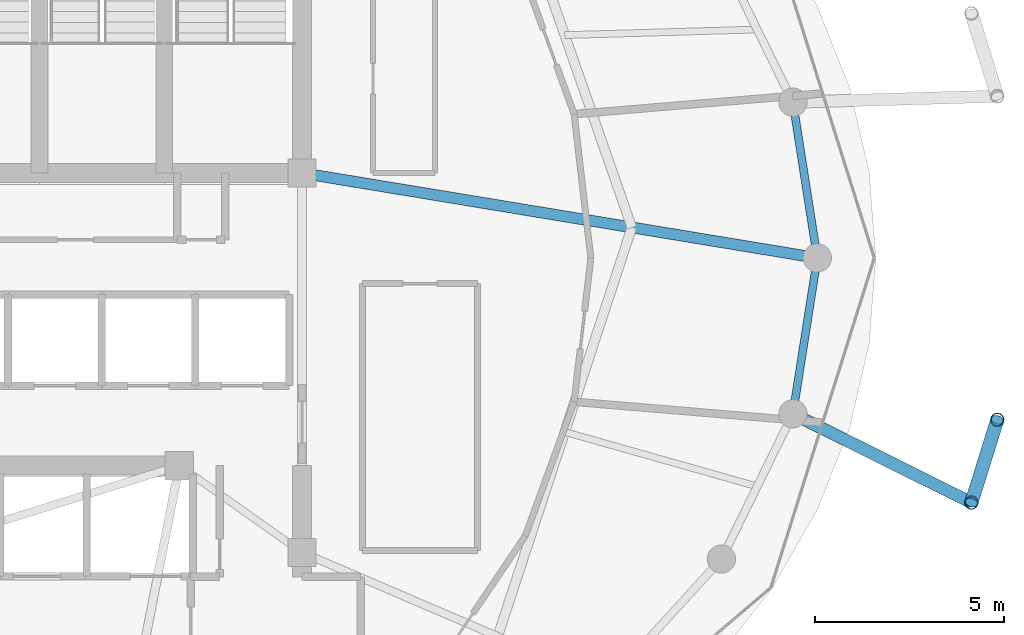
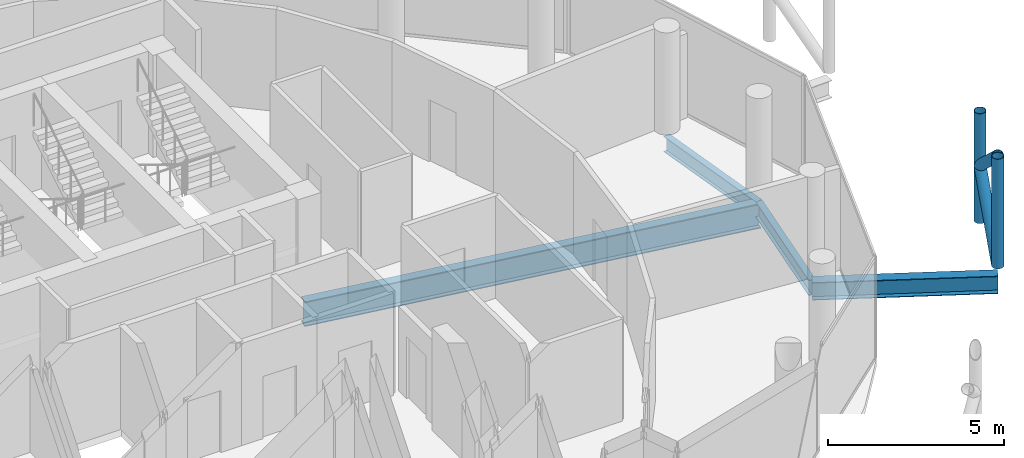
# One storey, part 11 of 24: 4 beams, 4 members.
"""IFC4 building model written with IfcOpenShell, lengths in metres."""

from ifc_helpers import new_model, si_unit, direction, frame, origin, origin_2d, place, context, subcontext, project, spatial, hollow_circle, i_section, extrude, material, material_profile, profile_set, type_object, element, save


model = new_model("IFC4")

# Units and contexts
model_context = context("Model", 3, precision=1e-05, world=origin(), true_north=direction((0.0, 1.0)))
body_context = subcontext(model_context, "Body", "Model", "MODEL_VIEW")
ifc_project = project(units=[si_unit("LENGTHUNIT", "METRE"), si_unit("AREAUNIT", "SQUARE_METRE"), si_unit("VOLUMEUNIT", "CUBIC_METRE"), si_unit("PLANEANGLEUNIT", "RADIAN"), si_unit("MASSUNIT", "GRAM", prefix="KILO")], contexts=[model_context])

# Site, building, storey
site_placement = place(None, origin())
site = spatial("IfcSite", under=ifc_project, at=site_placement, CompositionType="ELEMENT")
building_placement = place(site_placement, origin())
building = spatial("IfcBuilding", under=site, at=building_placement, Name="Nuhasar Tower", CompositionType="ELEMENT")
storey_placement = place(building_placement, frame((0.0, 0.0, 286.0)))
storey = spatial("IfcBuildingStorey", under=building, at=storey_placement, Name="L71", CompositionType="ELEMENT", Elevation=286.0)

# Beams
ifc_material_1 = material(Name="Steel S355", Category="steel")
ifc_material_profile_1 = material_profile(ifc_material_1, i_section(OverallWidth=0.2919921875, OverallDepth=0.85888671875, WebThickness=0.01708984375, FlangeThickness=0.031005859375, at=origin_2d()), Name="W33X169")
ifc_profile_set_1 = profile_set([ifc_material_profile_1], Name="Steel S355")
beam_type_1 = type_object("IfcBeamType", Name="BM-POD-W33X169", PredefinedType="BEAM", material=ifc_profile_set_1)
beam_1_placement = place(storey_placement, frame((44.300048828125, 29.050048828125, -0.68994140625), z_axis=(0.986685215874, -0.162641583786, 0.0), x_axis=(0.162641583786, 0.986685215874, 0.0)))
element("IfcBeam", 1, at=beam_1_placement, inside=storey, type_object=beam_type_1, Name="L71 Radial Floor Girder 04", PredefinedType="BEAM", context=body_context, shape_type="SweptSolid", body=[
    extrude(i_section(OverallWidth=0.2919921875, OverallDepth=0.85888671875, WebThickness=0.01708984375, FlangeThickness=0.031005859375, at=origin_2d()), origin(), (0.0, 0.0, 1.0), 13.833984375),
])
ifc_material_profile_2 = material_profile(ifc_material_1, i_section(OverallWidth=0.2099609375, OverallDepth=0.537109375, WebThickness=0.010986328125, FlangeThickness=0.017333984375, at=origin_2d()), Name="W21X68")
ifc_profile_set_2 = profile_set([ifc_material_profile_2], Name="Steel S355")
beam_type_2 = type_object("IfcBeamType", Name="BM-RING-W21X68", PredefinedType="SPANDREL", material=ifc_profile_set_2)
for number, where, z_axis, x_axis, name in (
    (2, (57.949951171875, 26.800048828125, -0.529052734375), (-0.154612165232, 0.987975241776, 0.0), (-0.987975241776, -0.154612165232, 0.0), "L71 Perimeter Ring Spandrel 01"),
    (3, (57.303955078125, 22.672119140625, -0.529052734375), (0.154612165232, 0.987975241776, 0.0), (-0.987975241776, 0.154612165232, 0.0), "L71 Perimeter Ring Spandrel 24"),
):
    element("IfcBeam", number, at=place(storey_placement, frame(where, z_axis=z_axis, x_axis=x_axis)), inside=storey, type_object=beam_type_2, Name=name, PredefinedType="SPANDREL", context=body_context, shape_type="SweptSolid", body=[
        extrude(i_section(OverallWidth=0.2099609375, OverallDepth=0.537109375, WebThickness=0.010986328125, FlangeThickness=0.017333984375, at=origin_2d()), origin(), (0.0, 0.0, 1.0), 4.17822265625),
    ])
ifc_material_profile_3 = material_profile(ifc_material_1, i_section(OverallWidth=0.323974609375, OverallDepth=0.611083984375, WebThickness=0.0126953125, FlangeThickness=0.01904296875, at=origin_2d()), Name="W24X104")
ifc_profile_set_3 = profile_set([ifc_material_profile_3], Name="Steel S355")
beam_type_3 = type_object("IfcBeamType", Name="BM-TIE-W24X104", PredefinedType="BEAM", material=ifc_profile_set_3)
beam_2_placement = place(storey_placement, frame((57.303955078125, 22.672119140625, -0.56494140625), z_axis=(0.895294451274, -0.445474853969, 0.0), x_axis=(0.445474853969, 0.895294451274, 0.0)))
element("IfcBeam", 4, at=beam_2_placement, inside=storey, type_object=beam_type_3, Name="L71 Exoskeleton Node Tie Beam 12", PredefinedType="BEAM", context=body_context, shape_type="SweptSolid", body=[
    extrude(i_section(OverallWidth=0.323974609375, OverallDepth=0.611083984375, WebThickness=0.0126953125, FlangeThickness=0.01904296875, at=origin_2d()), origin(), (0.0, 0.0, 1.0), 5.281982421875),
])

# Members
ifc_material_2 = material(Name="Steel S460", Category="steel")
ifc_material_profile_4 = material_profile(ifc_material_2, hollow_circle(Radius=0.177734375, WallThickness=0.015869140625, at=origin_2d()), Name="HSS355.6X15.9")
ifc_profile_set_4 = profile_set([ifc_material_profile_4], Name="Steel S460")
member_type = type_object("IfcMemberType", Name="EXO-BRONZE-356", PredefinedType="BRACE", material=ifc_profile_set_4)
for number, where, z_axis, x_axis, name in (
    (5, (62.032958984375, 20.319091796875, 0.0), (0.0, 0.0, 1.0), (1.0, 0.0, 0.0), "L71 Exoskeleton Chord Column EC-12A"),
    (6, (62.718017578125, 22.513916015625, 0.0), (0.0, 0.0, 1.0), (1.0, 0.0, 0.0), "L71 Exoskeleton Chord Column EC-12B"),
):
    element("IfcMember", number, at=place(storey_placement, frame(where, z_axis=z_axis, x_axis=x_axis)), inside=storey, type_object=member_type, Name=name, PredefinedType="BRACE", context=body_context, shape_type="SweptSolid", body=[
        extrude(hollow_circle(Radius=0.177734375, WallThickness=0.015869140625, at=origin_2d()), origin(), (0.0, 0.0, 1.0), 3.800048828125),
    ])
member_1_placement = place(storey_placement, frame((62.032958984375, 20.319091796875, 0.0), z_axis=(0.229681361446, 0.735864376122, 0.636985158507), x_axis=(-0.954581948223, 0.297948492404, 0.0)))
element("IfcMember", 7, at=member_1_placement, inside=storey, type_object=member_type, Name="L71 Bronze Diagrid Brace W1-12", PredefinedType="BRACE", context=body_context, shape_type="SweptSolid", body=[
    extrude(hollow_circle(Radius=0.177734375, WallThickness=0.015869140625, at=origin_2d()), origin(), (0.0, 0.0, 1.0), 2.982666015625),
])
member_2_placement = place(storey_placement, frame((62.718017578125, 22.513916015625, 1.89990234375), z_axis=(-0.229669386127, -0.73582600901, 0.637033796232), x_axis=(0.954581948223, -0.297948492404, 0.0)))
element("IfcMember", 8, at=member_2_placement, inside=storey, type_object=member_type, Name="L71 Bronze Diagrid Brace W2-12", PredefinedType="BRACE", context=body_context, shape_type="SweptSolid", body=[
    extrude(hollow_circle(Radius=0.177734375, WallThickness=0.015869140625, at=origin_2d()), origin(), (0.0, 0.0, 1.0), 2.98291015625),
])

save(model, "model.ifc")
